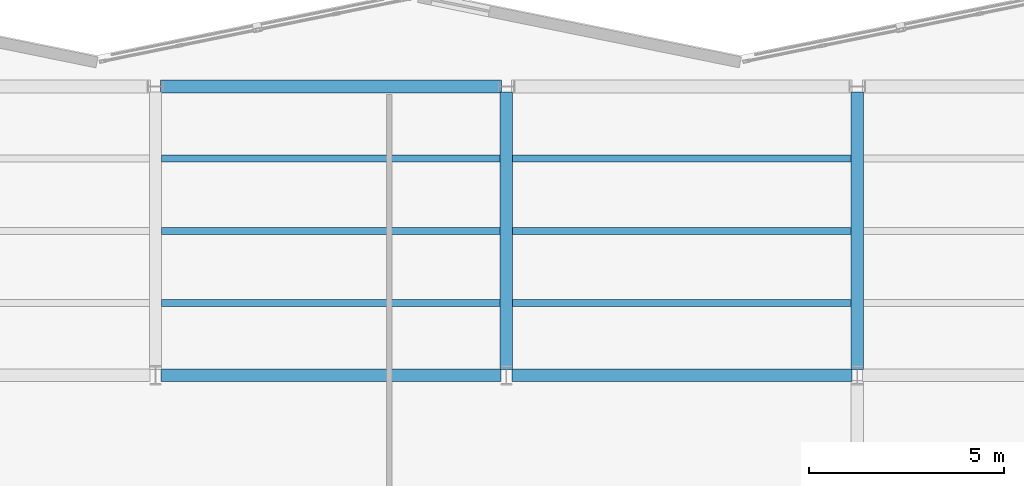
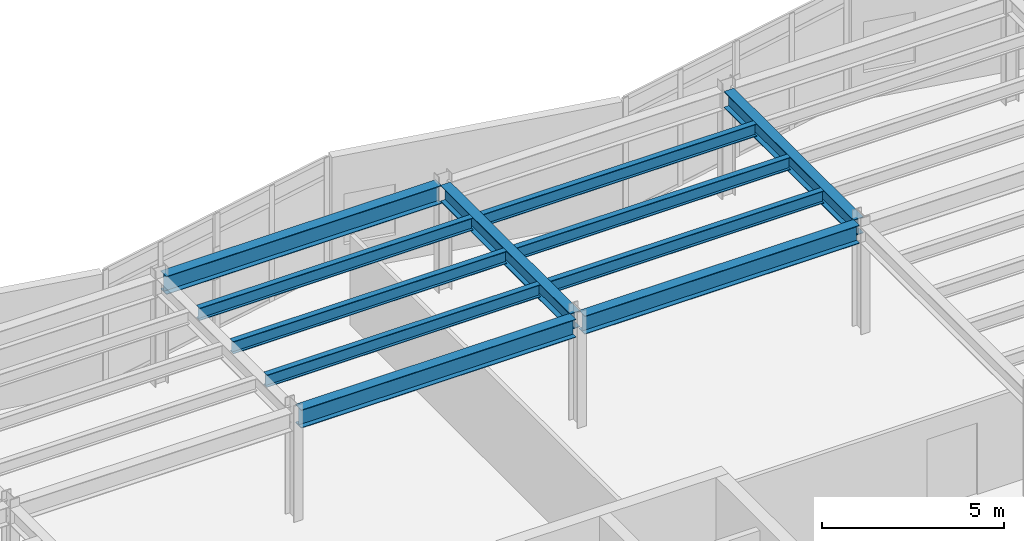
# One storey, part 19 of 59: 11 beams.
"""IFC4 building model written with IfcOpenShell, lengths in metres."""

from ifc_helpers import new_model, si_unit, direction, frame, origin, origin_2d, place, context, subcontext, project, spatial, i_section, extrude, material, material_profile, profile_set, type_object, element, save


model = new_model("IFC4")

# Units and contexts
model_context = context("Model", 3, precision=1e-05, world=origin(), true_north=direction((0.0, 1.0)))
body_context = subcontext(model_context, "Body", "Model", "MODEL_VIEW")
ifc_project = project(units=[si_unit("LENGTHUNIT", "METRE"), si_unit("AREAUNIT", "SQUARE_METRE"), si_unit("VOLUMEUNIT", "CUBIC_METRE"), si_unit("PLANEANGLEUNIT", "RADIAN"), si_unit("MASSUNIT", "GRAM", prefix="KILO")], contexts=[model_context])

# Site, building, storey
site_placement = place(None, origin())
site = spatial("IfcSite", under=ifc_project, at=site_placement, CompositionType="ELEMENT")
building_placement = place(site_placement, origin())
building = spatial("IfcBuilding", under=site, at=building_placement, Name="Sollismere Congress Hotel", CompositionType="ELEMENT")
storey_placement = place(building_placement, frame((0.0, 0.0, 15.60009765625)))
storey = spatial("IfcBuildingStorey", under=building, at=storey_placement, Name="L03", CompositionType="ELEMENT", Elevation=15.60009765625)

# Beams
ifc_material = material(Name="Steel ASTM A992 Grade 50", Category="steel")
ifc_material_profile_1 = material_profile(ifc_material, i_section(OverallWidth=0.31494140625, OverallDepth=0.551025390625, WebThickness=0.01513671875, FlangeThickness=0.0244140625, at=origin_2d()), Name="W21X122")
ifc_profile_set_1 = profile_set([ifc_material_profile_1], Name="Steel ASTM A992 Grade 50")
beam_type_1 = type_object("IfcBeamType", Name="BM-G21H", PredefinedType="BEAM", material=ifc_profile_set_1)
for number, where, z_axis, x_axis, name in (
    (1, (85.0, 95.139892578125, 3.349365234375), (0.0, 1.0, 0.0), (-1.0, 0.0, 0.0), "Beam BM-L03-2438"),
    (2, (94.0, 95.139892578125, 3.349365234375), (0.0, 1.0, 0.0), (-1.0, 0.0, 0.0), "Beam BM-L03-2443"),
):
    element("IfcBeam", number, at=place(storey_placement, frame(where, z_axis=z_axis, x_axis=x_axis)), inside=storey, type_object=beam_type_1, Name=name, PredefinedType="BEAM", context=body_context, shape_type="SweptSolid", body=[
        extrude(i_section(OverallWidth=0.31494140625, OverallDepth=0.551025390625, WebThickness=0.01513671875, FlangeThickness=0.0244140625, at=origin_2d()), origin(), (0.0, 0.0, 1.0), 7.1201171875),
    ])
ifc_material_profile_2 = material_profile(ifc_material, i_section(OverallWidth=0.324951171875, OverallDepth=0.612060546875, WebThickness=0.0126953125, FlangeThickness=0.01904296875, at=origin_2d()), Name="W24X104")
ifc_profile_set_2 = profile_set([ifc_material_profile_2], Name="Steel ASTM A992 Grade 50")
beam_type_2 = type_object("IfcBeamType", Name="BM-G24", PredefinedType="BEAM", material=ifc_profile_set_2)
for number, where, z_axis, x_axis, name in (
    (3, (76.139892578125, 95.0, 3.31884765625), (1.0, 0.0, 0.0), (0.0, 1.0, 0.0), "Beam BM-L03-2393"),
    (4, (85.139892578125, 95.0, 3.31884765625), (1.0, 0.0, 0.0), (0.0, 1.0, 0.0), "Beam BM-L03-2394"),
):
    element("IfcBeam", number, at=place(storey_placement, frame(where, z_axis=z_axis, x_axis=x_axis)), inside=storey, type_object=beam_type_2, Name=name, PredefinedType="BEAM", context=body_context, shape_type="SweptSolid", body=[
        extrude(i_section(OverallWidth=0.324951171875, OverallDepth=0.612060546875, WebThickness=0.0126953125, FlangeThickness=0.01904296875, at=origin_2d()), origin(), (0.0, 0.0, 1.0), 8.72021484375),
    ])
beam_placement = place(storey_placement, frame((76.131103515625, 102.39990234375, 3.31884765625), z_axis=(1.0, 0.0, 0.0), x_axis=(0.0, 1.0, 0.0)))
element("IfcBeam", 5, at=beam_placement, inside=storey, type_object=beam_type_2, Name="Beam BM-L03-2400", PredefinedType="BEAM", context=body_context, shape_type="SweptSolid", body=[
    extrude(i_section(OverallWidth=0.324951171875, OverallDepth=0.612060546875, WebThickness=0.0126953125, FlangeThickness=0.01904296875, at=origin_2d()), origin(), (0.0, 0.0, 1.0), 8.73779296875),
])
ifc_material_profile_3 = material_profile(ifc_material, i_section(OverallWidth=0.180908203125, OverallDepth=0.4169921875, WebThickness=0.010986328125, FlangeThickness=0.018310546875, at=origin_2d()), Name="W16X57")
ifc_profile_set_3 = profile_set([ifc_material_profile_3], Name="Steel ASTM A992 Grade 50")
beam_type_3 = type_object("IfcBeamType", Name="BM-J16", PredefinedType="JOIST", material=ifc_profile_set_3)
for number, where, z_axis, x_axis, name in (
    (6, (76.157470703125, 96.85009765625, 3.41650390625), (1.0, 0.0, 0.0), (0.0, 1.0, 0.0), "Beam BM-L03-2550"),
    (7, (76.157470703125, 98.699951171875, 3.41650390625), (1.0, 0.0, 0.0), (0.0, 1.0, 0.0), "Beam BM-L03-2551"),
    (8, (76.157470703125, 100.550048828125, 3.41650390625), (1.0, 0.0, 0.0), (0.0, 1.0, 0.0), "Beam BM-L03-2552"),
    (9, (85.157470703125, 96.85009765625, 3.41650390625), (1.0, 0.0, 0.0), (0.0, 1.0, 0.0), "Beam BM-L03-2557"),
    (10, (85.157470703125, 98.699951171875, 3.41650390625), (1.0, 0.0, 0.0), (0.0, 1.0, 0.0), "Beam BM-L03-2558"),
    (11, (85.157470703125, 100.550048828125, 3.41650390625), (1.0, 0.0, 0.0), (0.0, 1.0, 0.0), "Beam BM-L03-2559"),
):
    element("IfcBeam", number, at=place(storey_placement, frame(where, z_axis=z_axis, x_axis=x_axis)), inside=storey, type_object=beam_type_3, Name=name, PredefinedType="JOIST", context=body_context, shape_type="SweptSolid", body=[
        extrude(i_section(OverallWidth=0.180908203125, OverallDepth=0.4169921875, WebThickness=0.010986328125, FlangeThickness=0.018310546875, at=origin_2d()), origin(), (0.0, 0.0, 1.0), 8.68505859375),
    ])

save(model, "model.ifc")
